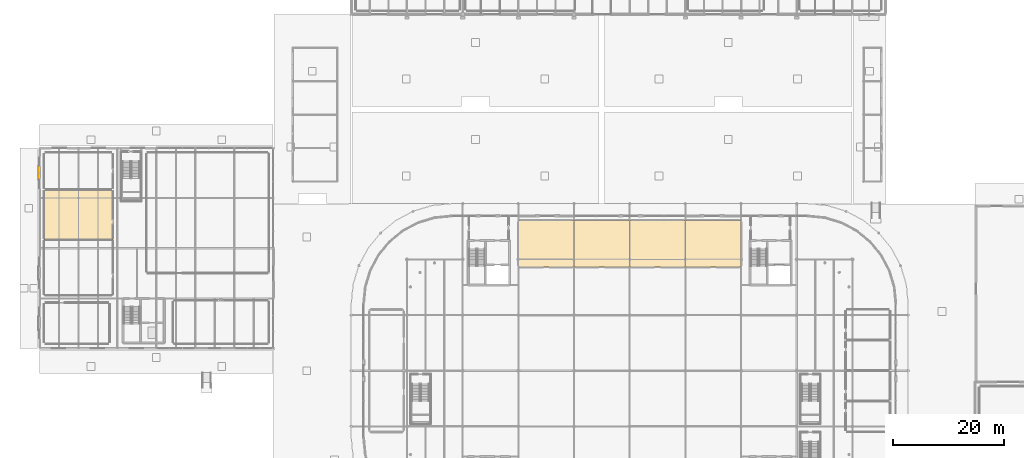
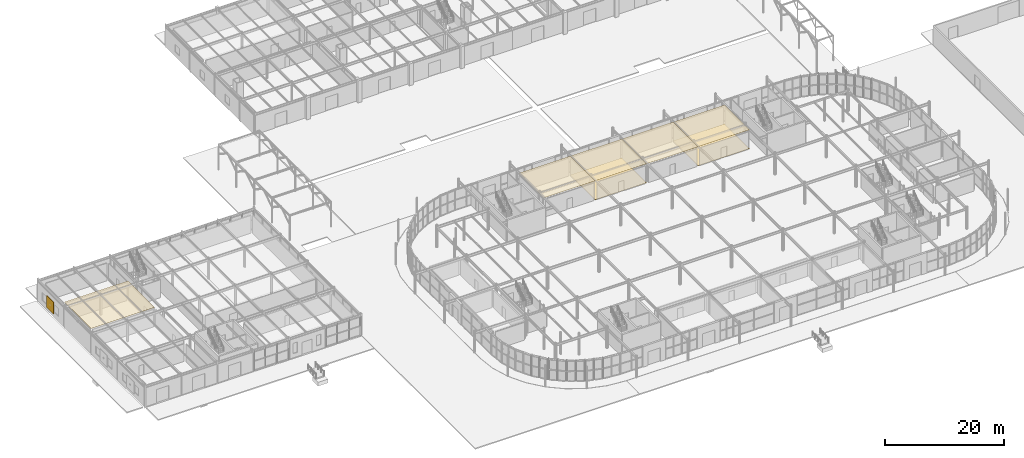
# One storey, part 108 of 119: 7 coverings, 1 shading device.
"""IFC4 building model written with IfcOpenShell, lengths in metres."""

from ifc_helpers import new_model, si_unit, derived_unit, direction, frame, origin, origin_2d_with_axis, place, context, subcontext, project, spatial, polyline, rectangle, outline, extrude, material, layer, layer_set, type_object, element, save


model = new_model("IFC4")

# Units and contexts
model_context = context("Model", 3, precision=1e-05, world=origin(), true_north=direction((0.0, 1.0)))
body_context = subcontext(model_context, "Body", "Model", "MODEL_VIEW")
ifc_project = project(units=[si_unit("LENGTHUNIT", "METRE"), si_unit("AREAUNIT", "SQUARE_METRE"), si_unit("VOLUMEUNIT", "CUBIC_METRE"), si_unit("PLANEANGLEUNIT", "RADIAN"), si_unit("MASSUNIT", "GRAM", prefix="KILO"), derived_unit("THERMALTRANSMITTANCEUNIT", [(si_unit("POWERUNIT", "WATT"), 1), (si_unit("LENGTHUNIT", "METRE"), -2), (si_unit("THERMODYNAMICTEMPERATUREUNIT", "KELVIN"), -1)])], contexts=[model_context])

# Site, building, storey
site_placement = place(None, origin())
site = spatial("IfcSite", under=ifc_project, at=site_placement, CompositionType="ELEMENT")
building_placement = place(site_placement, origin())
building = spatial("IfcBuilding", under=site, at=building_placement, Name="Cinnabar Yard Market Hall", CompositionType="ELEMENT")
storey_placement = place(building_placement, origin())
storey = spatial("IfcBuildingStorey", under=building, at=storey_placement, Name="L00", CompositionType="ELEMENT", Elevation=0.0)

# Coverings
ifc_material_1 = material(Name="Perforated acoustic spotted-gum timber slats", Category="wood")
ifc_layer_1 = layer(ifc_material_1, 0.0400390625)
ifc_layer_set_1 = layer_set([ifc_layer_1], Name="Perforated acoustic spotted-gum timber slats")
covering_type_1 = type_object("IfcCoveringType", Name="COV-CLG1", PredefinedType="CEILING", material=ifc_layer_set_1)
covering_1_placement = place(storey_placement, frame((0.0, 0.0, 3.8798828125)))
element("IfcCovering", 1, at=covering_1_placement, inside=storey, type_object=covering_type_1, Name="Ceiling Spice and Herb Stall 05", PredefinedType="CEILING", context=body_context, shape_type="SweptSolid", body=[
    extrude(outline(polyline([(96.0, 62.60009765625), (106.0, 62.60009765625), (106.0, 71.0), (96.0, 71.0), (96.0, 62.60009765625)])), origin(), (0.0, 0.0, 1.0), 0.03515625),
])
covering_2_placement = place(storey_placement, frame((0.0, 0.0, 3.8798828125)))
element("IfcCovering", 2, at=covering_2_placement, inside=storey, type_object=covering_type_1, Name="Ceiling South Australian Honey and Nut Stall 06", PredefinedType="CEILING", context=body_context, shape_type="SweptSolid", body=[
    extrude(outline(polyline([(106.0, 62.60009765625), (116.0, 62.60009765625), (116.0, 71.0), (106.0, 71.0), (106.0, 62.60009765625)])), origin(), (0.0, 0.0, 1.0), 0.03515625),
])
covering_3_placement = place(storey_placement, frame((0.0, 0.0, 3.8798828125)))
element("IfcCovering", 3, at=covering_3_placement, inside=storey, type_object=covering_type_1, Name="Ceiling Farmstead Dairy Stall 07", PredefinedType="CEILING", context=body_context, shape_type="SweptSolid", body=[
    extrude(outline(polyline([(116.0, 62.60009765625), (126.0, 62.60009765625), (126.0, 71.0), (116.0, 71.0), (116.0, 62.60009765625)])), origin(), (0.0, 0.0, 1.0), 0.03515625),
])
covering_4_placement = place(storey_placement, frame((0.0, 0.0, 3.8798828125)))
element("IfcCovering", 4, at=covering_4_placement, inside=storey, type_object=covering_type_1, Name="Ceiling Seafood and Oyster Stall 08", PredefinedType="CEILING", context=body_context, shape_type="SweptSolid", body=[
    extrude(outline(polyline([(126.0, 62.60009765625), (136.0, 62.60009765625), (136.0, 71.0), (126.0, 71.0), (126.0, 62.60009765625)])), origin(), (0.0, 0.0, 1.0), 0.03515625),
])
ifc_material_2 = material(Name="Hygienic washable aluminium kitchen ceiling", Category="aluminium")
ifc_layer_2 = layer(ifc_material_2, 0.030029296875)
ifc_layer_set_2 = layer_set([ifc_layer_2], Name="Hygienic washable aluminium kitchen ceiling")
covering_type_2 = type_object("IfcCoveringType", Name="COV-CLG2", PredefinedType="CEILING", material=ifc_layer_set_2)
covering_5_placement = place(storey_placement, frame((0.0, 0.0, 3.8798828125)))
element("IfcCovering", 5, at=covering_5_placement, inside=storey, type_object=covering_type_2, Name="Ceiling Commercial Kitchen West 02", PredefinedType="CEILING", context=body_context, shape_type="SweptSolid", body=[
    extrude(outline(polyline([(10.800048828125, 67.5), (23.199951171875, 67.5), (23.199951171875, 76.5), (10.800048828125, 76.5), (10.800048828125, 67.5)])), origin(), (0.0, 0.0, 1.0), 0.03515625),
])
ifc_material_3 = material(Name="Slip-resistant commercial quarry tile")
ifc_layer_3 = layer(ifc_material_3, 0.02490234375)
ifc_layer_set_3 = layer_set([ifc_layer_3], Name="Slip-resistant commercial quarry tile")
covering_type_3 = type_object("IfcCoveringType", Name="COV-FLR2", PredefinedType="FLOORING", material=ifc_layer_set_3)
covering_6_placement = place(storey_placement, origin())
element("IfcCovering", 6, at=covering_6_placement, inside=storey, type_object=covering_type_3, Name="Flooring South Australian Honey and Nut Stall 06", PredefinedType="FLOORING", context=body_context, shape_type="SweptSolid", body=[
    extrude(outline(polyline([(106.0, 62.60009765625), (116.0, 62.60009765625), (116.0, 71.0), (106.0, 71.0), (106.0, 62.60009765625)])), origin(), (0.0, 0.0, 1.0), 0.02490234375),
])
covering_7_placement = place(storey_placement, origin())
element("IfcCovering", 7, at=covering_7_placement, inside=storey, type_object=covering_type_3, Name="Flooring Seafood and Oyster Stall 08", PredefinedType="FLOORING", context=body_context, shape_type="SweptSolid", body=[
    extrude(outline(polyline([(126.0, 62.60009765625), (136.0, 62.60009765625), (136.0, 71.0), (126.0, 71.0), (126.0, 62.60009765625)])), origin(), (0.0, 0.0, 1.0), 0.02490234375),
])

# Shading device
ifc_material_4 = material(Name="Perforated red-anodised aluminium jali screen", Category="aluminium")
shading_device_type = type_object("IfcShadingDeviceType", Name="SHD-JALI2", PredefinedType="JALOUSIE", material=ifc_material_4)
shading_device_placement = place(storey_placement, frame((9.800048828125, 79.5, 0.650146484375), z_axis=(0.0, 0.0, 1.0), x_axis=(1.0, 0.0, 0.0)))
element("IfcShadingDevice", 8, at=shading_device_placement, inside=storey, type_object=shading_device_type, Name="Pavilion West Jali Screen L00-4", PredefinedType="JALOUSIE", context=body_context, shape_type="SweptSolid", body=[
    extrude(rectangle(XDim=0.080078125, YDim=2.39990234375, at=origin_2d_with_axis()), origin(), (0.0, 0.0, 1.0), 2.39990234375),
])

save(model, "model.ifc")
